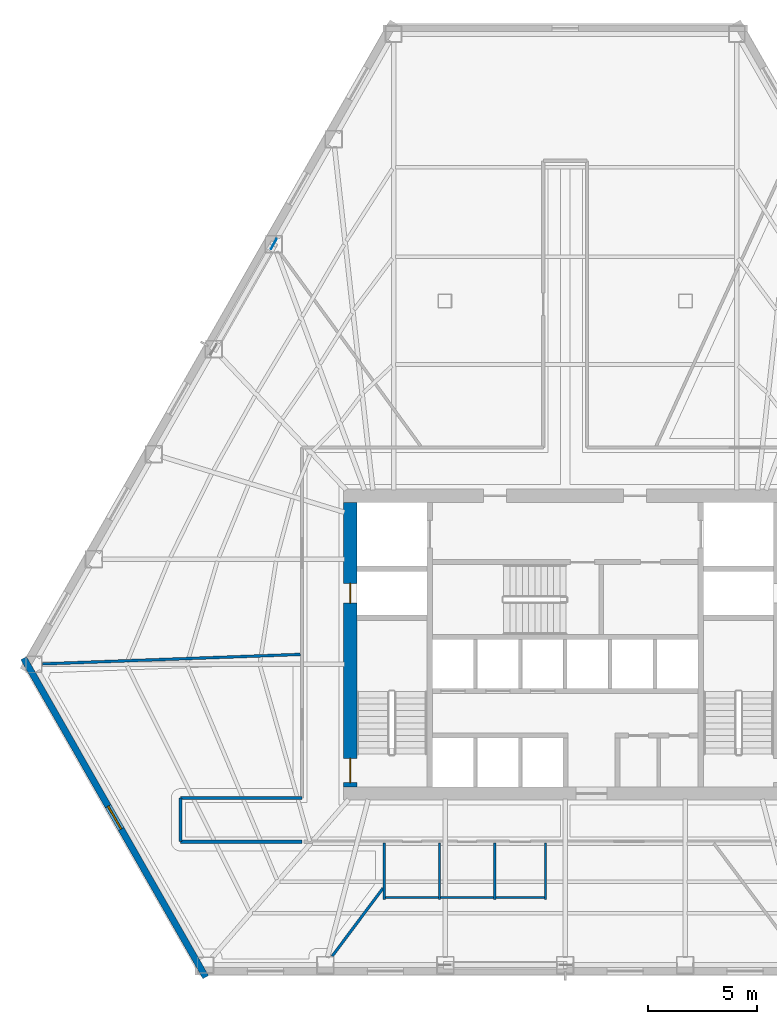
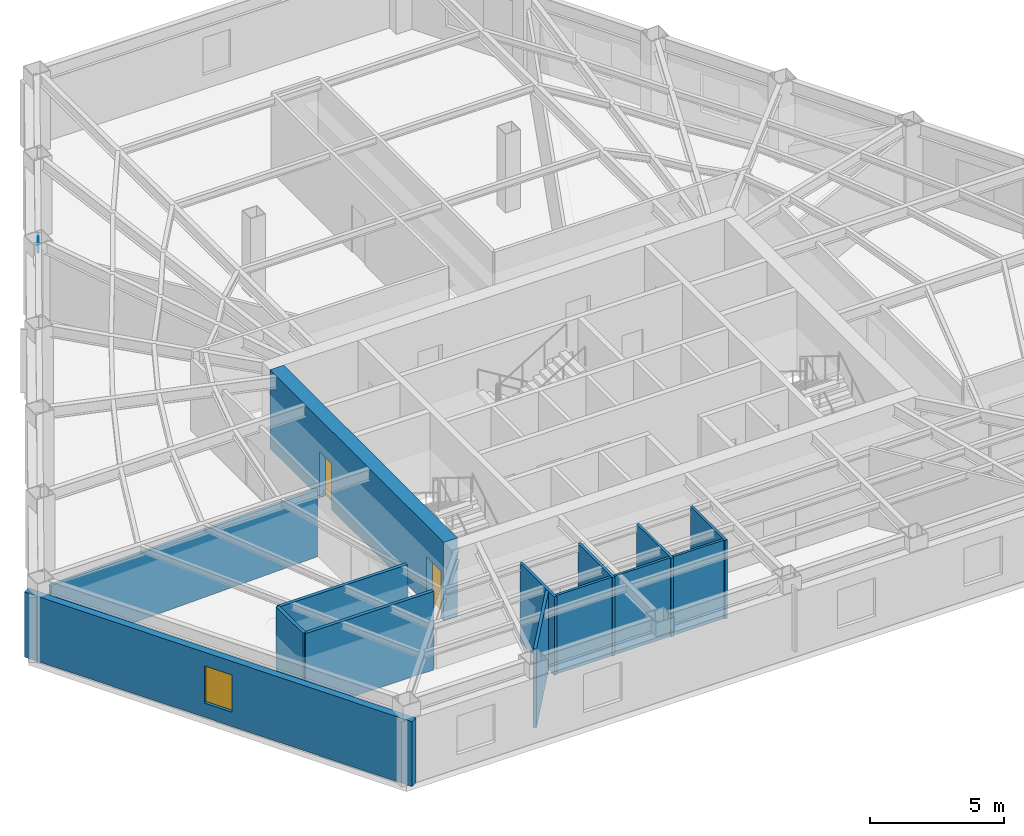
# One storey, part 5 of 11: 12 walls, 2 doors, 1 plate, 1 window, 3 openings.
"""IFC4 building model written with IfcOpenShell, lengths in metres."""

import ifcopenshell
import ifcopenshell.guid

model = None  # the IFC model being written
_history = None  # IfcOwnerHistory: only IFC2X3 demands one
_inside = {}  # id of a spatial element -> (the spatial element, [elements in it])
_under = {}  # id of a project, library or spatial element -> (it, [spatial elements below it])
_declared = {}  # id of a project -> (the project, [libraries it declares])
_typed = {}  # id of a type object -> (the type object, [elements of that type])
_made_of = {}  # id of a material, layer set ... -> (it, [elements and type objects made of it])


def new_model(schema):
    """Start an empty IFC model of exactly this schema.

    Asked for "IFC4X3", IfcOpenShell would pick the latest addendum, in which some entities
    have other attributes; the version numbers below select the first issue.
    IFC2X3 requires an IfcOwnerHistory on every rooted entity: one is made here for all.
    """
    global model, _history
    if schema == "IFC4X3":
        model = ifcopenshell.file(schema_version=(4, 3, 0, 0))
    else:
        model = ifcopenshell.file(schema=schema)
    _inside.clear()
    _under.clear()
    _declared.clear()
    _typed.clear()
    _made_of.clear()
    _history = None
    if model.schema == "IFC2X3":
        org = make("IfcOrganization", Name="unknown")
        user = make(
            "IfcPersonAndOrganization",
            ThePerson=make("IfcPerson", FamilyName="unknown"),
            TheOrganization=org,
        )
        app = make(
            "IfcApplication",
            ApplicationDeveloper=org,
            Version="unknown",
            ApplicationFullName="unknown",
            ApplicationIdentifier="unknown",
        )
        _history = make(
            "IfcOwnerHistory",
            OwningUser=user,
            OwningApplication=app,
            ChangeAction="ADDED",
            CreationDate=0,
        )
    return model


def make(cls, **values):
    """One entity of the class cls with the attributes given. An attribute that is None is left unset."""
    return model.create_entity(
        cls, **{name: value for name, value in values.items() if value is not None}
    )


def rooted(cls, **values):
    """An entity with a GlobalId (a new one), such as an element, a storey or a relation."""
    return make(cls, GlobalId=ifcopenshell.guid.new(), OwnerHistory=_history, **values)


def si_unit(unit_type, name, prefix=None):
    """IfcSIUnit, for example si_unit("LENGTHUNIT", "METRE", prefix="MILLI")."""
    return make("IfcSIUnit", UnitType=unit_type, Prefix=prefix, Name=name)


def assignment(units):
    """IfcUnitAssignment: the units of a project."""
    return None if units is None else make("IfcUnitAssignment", Units=units)


def point(xyz):
    """IfcCartesianPoint."""
    return None if xyz is None else make("IfcCartesianPoint", Coordinates=xyz)


def direction(xyz):
    """IfcDirection."""
    return None if xyz is None else make("IfcDirection", DirectionRatios=xyz)


def frame(location, z_axis=None, x_axis=None):
    """IfcAxis2Placement3D, a coordinate frame: its origin and axes. An axis left out is left unset."""
    return make(
        "IfcAxis2Placement3D",
        Location=point(location),
        Axis=direction(z_axis),
        RefDirection=direction(x_axis),
    )


def frame_2d(location, x_axis=None):
    """IfcAxis2Placement2D, a coordinate frame in the plane: its origin and x axis."""
    return make(
        "IfcAxis2Placement2D", Location=point(location), RefDirection=direction(x_axis)
    )


def origin():
    """The frame at (0, 0, 0) with its axes left unset."""
    return frame((0.0, 0.0, 0.0))


def origin_2d():
    """The frame at (0, 0) in the plane with its x axis left unset."""
    return frame_2d((0.0, 0.0))


def place(relative_to, where):
    """IfcLocalPlacement: puts the frame where relative to a parent placement (None: the world)."""
    return make(
        "IfcLocalPlacement", PlacementRelTo=relative_to, RelativePlacement=where
    )


def context(
    kind, dimensions, precision=None, world=None, true_north=None, identifier=None
):
    """IfcGeometricRepresentationContext, for example the 3D "Model" context."""
    return make(
        "IfcGeometricRepresentationContext",
        ContextIdentifier=identifier,
        ContextType=kind,
        CoordinateSpaceDimension=dimensions,
        Precision=precision,
        WorldCoordinateSystem=world,
        TrueNorth=true_north,
    )


def subcontext(parent, identifier, kind, view, scale=None):
    """IfcGeometricRepresentationSubContext, for example "Body" below "Model"."""
    return make(
        "IfcGeometricRepresentationSubContext",
        ContextIdentifier=identifier,
        ContextType=kind,
        ParentContext=parent,
        TargetScale=scale,
        TargetView=view,
    )


def project(units=None, contexts=None):
    """IfcProject with its units and contexts."""
    return rooted(
        "IfcProject",
        Name="project",
        RepresentationContexts=contexts,
        UnitsInContext=assignment(units),
    )


def spatial(cls, under=None, at=None, **own):
    """A site, building, storey or space (cls), placed at a placement, below another one or the project."""
    s = rooted(cls, ObjectPlacement=at, **own)
    if under is not None:
        _under.setdefault(under.id(), (under, []))[1].append(s)
    return s


def profile(cls, at=None, kind="AREA", **sizes):
    """A parametric profile (cls). Its sizes go by their IFC names, for example OverallWidth=200.0."""
    return make(cls, ProfileType=kind, Position=at, **sizes)


def rectangle(**sizes):
    """IfcRectangleProfileDef."""
    return profile("IfcRectangleProfileDef", **sizes)


def extrude(swept, where, along, depth):
    """IfcExtrudedAreaSolid: the profile swept, set in the frame where, extruded along a direction by depth."""
    return make(
        "IfcExtrudedAreaSolid",
        SweptArea=swept,
        Position=where,
        ExtrudedDirection=direction(along),
        Depth=depth,
    )


def shape(context_of_items, identifier, shape_type, items):
    """IfcShapeRepresentation: the items that make up one representation, for example the "Body"."""
    return make(
        "IfcShapeRepresentation",
        ContextOfItems=context_of_items,
        RepresentationIdentifier=identifier,
        RepresentationType=shape_type,
        Items=items,
    )


def material(Name=None, Category=None):
    """IfcMaterial."""
    return make("IfcMaterial", Name=Name, Category=Category)


def layer(
    of_material, thickness, ventilated=None, Name=None, Category=None, Priority=None
):
    """IfcMaterialLayer: one layer of a wall or slab, of a material (None: an air gap)."""
    return make(
        "IfcMaterialLayer",
        Material=of_material,
        LayerThickness=thickness,
        IsVentilated=ventilated,
        Name=Name,
        Category=Category,
        Priority=Priority,
    )


def layer_set(layers, Name=None):
    """IfcMaterialLayerSet."""
    return make("IfcMaterialLayerSet", MaterialLayers=layers, LayerSetName=Name)


def made_of(thing, what):
    """Note that an element or type object is made of a material, layer set ...; save() writes the relation."""
    if what is not None:
        _made_of.setdefault(what.id(), (what, []))[1].append(thing)
    return thing


def type_object(cls, material=None, **own):
    """A type object (cls), such as IfcWallType, which elements share."""
    return made_of(rooted(cls, **own), material)


def element(
    cls,
    number,
    at=None,
    inside=None,
    cuts=None,
    type_object=None,
    material=None,
    context=None,
    identifier="Body",
    shape_type=None,
    held_by="IfcProductDefinitionShape",
    body=None,
    shapes=None,
    **own,
):
    """One element of the class cls, such as IfcWall. Its Tag is "e" and its number.

    at: its placement. inside: the storey or other place that contains it. cuts: it is an
    opening in that element (IfcRelVoidsElement). A single representation is given by context,
    identifier, shape_type and body (its items); several are given by shapes. held_by: the class
    of the entity that holds the representations. save() writes the other relations.
    """
    e = rooted(cls, Tag="e%d" % number, ObjectPlacement=at, **own)
    if body is not None:
        shapes = [shape(context, identifier, shape_type, body)]
    if shapes is not None:
        e.Representation = make(held_by, Representations=shapes)
    if inside is not None:
        _inside.setdefault(inside.id(), (inside, []))[1].append(e)
    if cuts is not None:
        rooted(
            "IfcRelVoidsElement", RelatingBuildingElement=cuts, RelatedOpeningElement=e
        )
    if type_object is not None:
        _typed.setdefault(type_object.id(), (type_object, []))[1].append(e)
    return made_of(e, material)


def fill(opening, filler):
    """IfcRelFillsElement: the door or window that sits in an opening."""
    return rooted(
        "IfcRelFillsElement",
        RelatingOpeningElement=opening,
        RelatedBuildingElement=filler,
    )


def aggregate(whole, parts):
    """IfcRelAggregates: a whole, such as a stair, and the parts it consists of."""
    return rooted("IfcRelAggregates", RelatingObject=whole, RelatedObjects=parts)


def save(model, path):
    """Write the relations noted so far, then the file.

    IfcRelAggregates (storeys below a building ...), IfcRelContainedInSpatialStructure (elements
    in a storey), IfcRelDefinesByType, IfcRelAssociatesMaterial and IfcRelDeclares: one each for
    every whole, place, type object, material and project.
    """
    for whole, parts in _under.values():
        aggregate(whole, parts)
    for where, things in _inside.values():
        rooted(
            "IfcRelContainedInSpatialStructure",
            RelatedElements=things,
            RelatingStructure=where,
        )
    for kind, things in _typed.values():
        rooted("IfcRelDefinesByType", RelatedObjects=things, RelatingType=kind)
    for what, things in _made_of.values():
        rooted("IfcRelAssociatesMaterial", RelatedObjects=things, RelatingMaterial=what)
    for by, libraries in _declared.values():
        rooted("IfcRelDeclares", RelatingContext=by, RelatedDefinitions=libraries)
    model.write(path)


model = new_model("IFC4")

# Units and contexts
model_context = context("Model", 3, precision=1e-05, world=origin(), true_north=direction((0.0, 1.0)))
body_context = subcontext(model_context, "Body", "Model", "MODEL_VIEW")
ifc_project = project(units=[si_unit("LENGTHUNIT", "METRE"), si_unit("AREAUNIT", "SQUARE_METRE"), si_unit("VOLUMEUNIT", "CUBIC_METRE"), si_unit("PLANEANGLEUNIT", "RADIAN"), si_unit("MASSUNIT", "GRAM", prefix="KILO")], contexts=[model_context])

# Site, building, storey
site_placement = place(None, origin())
site = spatial("IfcSite", under=ifc_project, at=site_placement, CompositionType="ELEMENT")
building_placement = place(site_placement, origin())
building = spatial("IfcBuilding", under=site, at=building_placement, Name="Kavelnor Concourse Tower", CompositionType="ELEMENT")
storey_placement = place(building_placement, frame((0.0, 0.0, 25.25)))
storey = spatial("IfcBuildingStorey", under=building, at=storey_placement, Name="L06", CompositionType="ELEMENT", Elevation=25.25)

# Plate
ifc_material_1 = material(Name="Steel Grade 350", Category="steel")
ifc_layer_1 = layer(ifc_material_1, 0.031982421875, Name="Steel Grade 350")
ifc_layer_set_1 = layer_set([ifc_layer_1], Name="Steel Grade 350")
plate_type = type_object("IfcPlateType", Name="PL-GUSSET-TUBE-Z1", PredefinedType="USERDEFINED", material=ifc_layer_set_1)
plate_placement = place(storey_placement, frame((24.690185546875, 34.404052734375, 3.073974609375), z_axis=(0.0, 0.0, 1.0), x_axis=(0.495761847839, 0.86845851382, 0.0)))
element("IfcPlate", 1, at=plate_placement, inside=storey, type_object=plate_type, Name="L06 Tube Brace Gusset GP3 F0-B2 End Gusset B", ObjectType="GUSSET_PLATE", PredefinedType="USERDEFINED", context=body_context, shape_type="SweptSolid", body=[
    extrude(rectangle(XDim=0.52001953125, YDim=0.031982421875, at=origin_2d()), origin(), (0.0, 0.0, 1.0), 0.419921875),
])

# Wall, openings, doors
ifc_material_2 = material(Name="Concrete C60/75", Category="concrete")
ifc_layer_2 = layer(ifc_material_2, 0.60009765625, Name="Concrete C60/75")
ifc_layer_set_2 = layer_set([ifc_layer_2], Name="Concrete C60/75")
wall_type_1 = type_object("IfcWallType", Name="WL-CORE-Z1-600", PredefinedType="SOLIDWALL", material=ifc_layer_set_2)
wall_1_placement = place(storey_placement, frame((28.179931640625, 9.60009765625, 0.0), z_axis=(0.0, 0.0, 1.0), x_axis=(0.0, 1.0, 0.0)))
wall_1 = element("IfcWall", 2, at=wall_1_placement, inside=storey, type_object=wall_type_1, Name="L06 Central Core West Shear Wall", PredefinedType="SOLIDWALL", context=body_context, shape_type="SweptSolid", body=[
    extrude(rectangle(XDim=13.0, YDim=0.60009765625, at=frame_2d((6.5, 0.0))), origin(), (0.0, 0.0, 1.0), 3.590087890625),
])
opening_1_placement = place(wall_1_placement, frame((0.199951171875, 0.0, 0.0)))
opening_1 = element("IfcOpeningElement", 3, at=opening_1_placement, cuts=wall_1, Name="Opening FD-110", PredefinedType="OPENING", context=body_context, shape_type="SweptSolid", body=[
    extrude(rectangle(XDim=1.10009765625, YDim=2.14990234375, at=frame_2d((0.550048828125, 1.074951171875))), frame((0.0, 0.31005859375, 0.0), z_axis=(0.0, -1.0, 0.0), x_axis=(1.0, 0.0, 0.0)), (0.0, 0.0, 1.0), 0.6201171875),
])
opening_2_placement = place(wall_1_placement, frame((8.39990234375, 0.0, 0.0)))
opening_2 = element("IfcOpeningElement", 4, at=opening_2_placement, cuts=wall_1, Name="Opening FD-090", PredefinedType="OPENING", context=body_context, shape_type="SweptSolid", body=[
    extrude(rectangle(XDim=0.89990234375, YDim=2.10009765625, at=frame_2d((0.449951171875, 1.050048828125))), frame((0.0, 0.31005859375, 0.0), z_axis=(0.0, -1.0, 0.0), x_axis=(1.0, 0.0, 0.0)), (0.0, 0.0, 1.0), 0.6201171875),
])
door_type_1 = type_object("IfcDoorType", Name="DR-RISER-FIRE-900", OperationType="NOTDEFINED", PredefinedType="DOOR", material=ifc_material_1)
door_1_placement = place(opening_2_placement, origin())
door_1 = element("IfcDoor", 5, at=door_1_placement, inside=storey, type_object=door_type_1, Name="L06 West Riser Access Door", OperationType="SINGLE_SWING_RIGHT", OverallHeight=2.10009765625, OverallWidth=0.89990234375, PredefinedType="DOOR", context=body_context, shape_type="SweptSolid", body=[
    extrude(rectangle(XDim=0.89990234375, YDim=2.10009765625, at=frame_2d((0.449951171875, 1.050048828125))), frame((0.0, 0.02490234375, 0.0), z_axis=(0.0, -1.0, 0.0), x_axis=(1.0, 0.0, 0.0)), (0.0, 0.0, 1.0), 0.050048828125),
])
fill(opening_2, door_1)
door_type_2 = type_object("IfcDoorType", Name="DR-STAIR-FIRE-1100", OperationType="NOTDEFINED", PredefinedType="DOOR", material=ifc_material_1)
door_2_placement = place(opening_1_placement, origin())
door_2 = element("IfcDoor", 6, at=door_2_placement, inside=storey, type_object=door_type_2, Name="L06 Stair ST1 Fire Door", OperationType="SINGLE_SWING_LEFT", OverallHeight=2.14990234375, OverallWidth=1.10009765625, PredefinedType="DOOR", context=body_context, shape_type="SweptSolid", body=[
    extrude(rectangle(XDim=1.10009765625, YDim=2.14990234375, at=frame_2d((0.550048828125, 1.074951171875))), frame((0.0, 0.02490234375, 0.0), z_axis=(0.0, -1.0, 0.0), x_axis=(1.0, 0.0, 0.0)), (0.0, 0.0, 1.0), 0.050048828125),
])
fill(opening_1, door_2)

# Wall, opening, window
ifc_material_3 = material(Name="Buff ironspot clay face brick masonry", Category="masonry")
ifc_layer_3 = layer(ifc_material_3, 0.300048828125, Name="Buff ironspot clay face brick masonry")
ifc_layer_set_3 = layer_set([ifc_layer_3], Name="Buff ironspot clay face brick masonry")
wall_type_2 = type_object("IfcWallType", Name="WL-EXT-BUFF-BRICK-FOLD-300", PredefinedType="STANDARD", material=ifc_layer_set_3)
wall_2_placement = place(storey_placement, frame((21.57958984375, 0.913330078125, 0.0), z_axis=(0.0, 0.0, 1.0), x_axis=(-0.495706340457, 0.868490198005, 0.0)))
wall_2 = element("IfcWall", 7, at=wall_2_placement, inside=storey, type_object=wall_type_2, Name="L06 Exterior Brick Facade Wall E2", PredefinedType="STANDARD", context=body_context, shape_type="SweptSolid", body=[
    extrude(rectangle(XDim=16.77685546875, YDim=0.300048828125, at=frame_2d((8.388427734375, 0.0))), origin(), (0.0, 0.0, 1.0), 2.969970703125),
])
opening_3_placement = place(wall_2_placement, frame((7.78857421875, 0.0, 0.64990234375)))
opening_3 = element("IfcOpeningElement", 8, at=opening_3_placement, cuts=wall_2, Name="Opening W-05", PredefinedType="OPENING", context=body_context, shape_type="SweptSolid", body=[
    extrude(rectangle(XDim=1.199951171875, YDim=1.699951171875, at=frame_2d((0.60009765625, 0.85009765625))), frame((0.0, 0.16015625, 0.0), z_axis=(0.0, -1.0, 0.0), x_axis=(1.0, 0.0, 0.0)), (0.0, 0.0, 1.0), 0.320068359375),
])
ifc_material_4 = material(Name="Double low-E argon insulated glazing", Category="glass")
window_type = type_object("IfcWindowType", Name="WIN-FOLD-1200", PartitioningType="SINGLE_PANEL", PredefinedType="WINDOW", material=ifc_material_4)
window_placement = place(opening_3_placement, origin())
window = element("IfcWindow", 9, at=window_placement, inside=storey, type_object=window_type, Name="L06 Chamfer-Fold Facet Window C1", OverallHeight=1.699951171875, OverallWidth=1.199951171875, PartitioningType="SINGLE_PANEL", PredefinedType="WINDOW", context=body_context, shape_type="SweptSolid", body=[
    extrude(rectangle(XDim=1.199951171875, YDim=1.699951171875, at=frame_2d((0.60009765625, 0.85009765625))), frame((0.0, 0.030029296875, 0.0), z_axis=(0.0, -1.0, 0.0), x_axis=(1.0, 0.0, 0.0)), (0.0, 0.0, 1.0), 0.06005859375),
])
fill(opening_3, window)

# Walls
ifc_material_5 = material(Name="Gypsum plasterboard on light-gauge steel studs", Category="steel")
ifc_layer_4 = layer(ifc_material_5, 0.14501953125, Name="Gypsum plasterboard on light-gauge steel studs")
ifc_layer_set_4 = layer_set([ifc_layer_4], Name="Gypsum plasterboard on light-gauge steel studs")
wall_type_3 = type_object("IfcWallType", Name="WL-INT-CORR-145", PredefinedType="PARTITIONING", material=ifc_layer_set_4)
for number, where, z_axis, x_axis, name in (
    (10, (20.430419921875, 9.10009765625, 0.0), (0.0, 0.0, 1.0), (1.0, 0.0, 0.0), "L06 Corridor Wall WL-L06-CR-01"),
    (11, (25.97998046875, 7.10009765625, 0.0), (0.0, 0.0, 1.0), (-1.0, 0.0, 0.0), "L06 Corridor Wall WL-L06-CR-13"),
):
    element("IfcWall", number, at=place(storey_placement, frame(where, z_axis=z_axis, x_axis=x_axis)), inside=storey, type_object=wall_type_3, Name=name, PredefinedType="PARTITIONING", context=body_context, shape_type="SweptSolid", body=[
        extrude(rectangle(XDim=5.549560546875, YDim=0.14501953125, at=frame_2d((2.77490234375, 0.0))), origin(), (0.0, 0.0, 1.0), 3.590087890625),
    ])
wall_3_placement = place(storey_placement, frame((20.430419921875, 7.10009765625, 0.0), z_axis=(0.0, 0.0, 1.0), x_axis=(0.0, 1.0, 0.0)))
element("IfcWall", 12, at=wall_3_placement, inside=storey, type_object=wall_type_3, Name="L06 Corridor Wall WL-L06-CR-14", PredefinedType="PARTITIONING", context=body_context, shape_type="SweptSolid", body=[
    extrude(rectangle(XDim=2.0, YDim=0.14501953125, at=frame_2d((1.0, 0.0))), origin(), (0.0, 0.0, 1.0), 3.590087890625),
])
ifc_layer_5 = layer(ifc_material_5, 0.125, Name="Gypsum plasterboard on light-gauge steel studs")
ifc_layer_set_5 = layer_set([ifc_layer_5], Name="Gypsum plasterboard on light-gauge steel studs")
wall_type_4 = type_object("IfcWallType", Name="WL-INT-SUITE-125", PredefinedType="PARTITIONING", material=ifc_layer_set_5)
wall_4_placement = place(storey_placement, frame((25.8994140625, 15.654296875, 0.0), z_axis=(0.0, 0.0, 1.0), x_axis=(-0.999322388706, -0.036807111154, 0.0)))
element("IfcWall", 13, at=wall_4_placement, inside=storey, type_object=wall_type_4, Name="L06 Radial Suite Partition 04", PredefinedType="PARTITIONING", context=body_context, shape_type="SweptSolid", body=[
    extrude(rectangle(XDim=11.786865234375, YDim=0.125, at=frame_2d((5.8935546875, 0.0))), origin(), (0.0, 0.0, 1.0), 3.056884765625),
])
wall_5_placement = place(storey_placement, frame((29.677001953125, 4.97314453125, 0.0), z_axis=(0.0, 0.0, 1.0), x_axis=(-0.598981151393, -0.800763123699, 0.0)))
element("IfcWall", 14, at=wall_5_placement, inside=storey, type_object=wall_type_4, Name="L06 Radial Suite Partition 05", PredefinedType="PARTITIONING", context=body_context, shape_type="SweptSolid", body=[
    extrude(rectangle(XDim=3.874267578125, YDim=0.125, at=frame_2d((1.93701171875, 0.0))), origin(), (0.0, 0.0, 1.0), 3.590087890625),
])
ifc_layer_6 = layer(ifc_material_5, 0.110107421875, Name="Gypsum plasterboard on light-gauge steel studs")
ifc_layer_set_6 = layer_set([ifc_layer_6], Name="Gypsum plasterboard on light-gauge steel studs")
wall_type_5 = type_object("IfcWallType", Name="WL-INT-WC-110", PredefinedType="PLUMBINGWALL", material=ifc_layer_set_6)
for number, where, z_axis, x_axis, name in (
    (15, (29.739990234375, 4.449951171875, 0.0), (0.0, 0.0, 1.0), (0.0, 1.0, 0.0), "L06 Sanitary Partition WL-L06-WC-W"),
    (16, (32.260009765625, 4.449951171875, 0.0), (0.0, 0.0, 1.0), (0.0, 1.0, 0.0), "L06 Sanitary Partition WL-L06-WC-D1"),
    (17, (34.780029296875, 4.449951171875, 0.0), (0.0, 0.0, 1.0), (0.0, 1.0, 0.0), "L06 Sanitary Partition WL-L06-WC-D2"),
    (18, (37.10009765625, 4.449951171875, 0.0), (0.0, 0.0, 1.0), (0.0, 1.0, 0.0), "L06 Sanitary Partition WL-L06-WC-E"),
):
    element("IfcWall", number, at=place(storey_placement, frame(where, z_axis=z_axis, x_axis=x_axis)), inside=storey, type_object=wall_type_5, Name=name, PredefinedType="PLUMBINGWALL", context=body_context, shape_type="SweptSolid", body=[
        extrude(rectangle(XDim=2.580078125, YDim=0.110107421875, at=frame_2d((1.2900390625, 0.0))), origin(), (0.0, 0.0, 1.0), 3.590087890625),
    ])
wall_6_placement = place(storey_placement, frame((29.68994140625, 4.550048828125, 0.0), z_axis=(0.0, 0.0, 1.0), x_axis=(1.0, 0.0, 0.0)))
element("IfcWall", 19, at=wall_6_placement, inside=storey, type_object=wall_type_5, Name="L06 Sanitary Partition WL-L06-WC-S", PredefinedType="PLUMBINGWALL", context=body_context, shape_type="SweptSolid", body=[
    extrude(rectangle(XDim=7.4599609375, YDim=0.110107421875, at=frame_2d((3.72998046875, 0.0))), origin(), (0.0, 0.0, 1.0), 3.590087890625),
])

save(model, "model.ifc")
